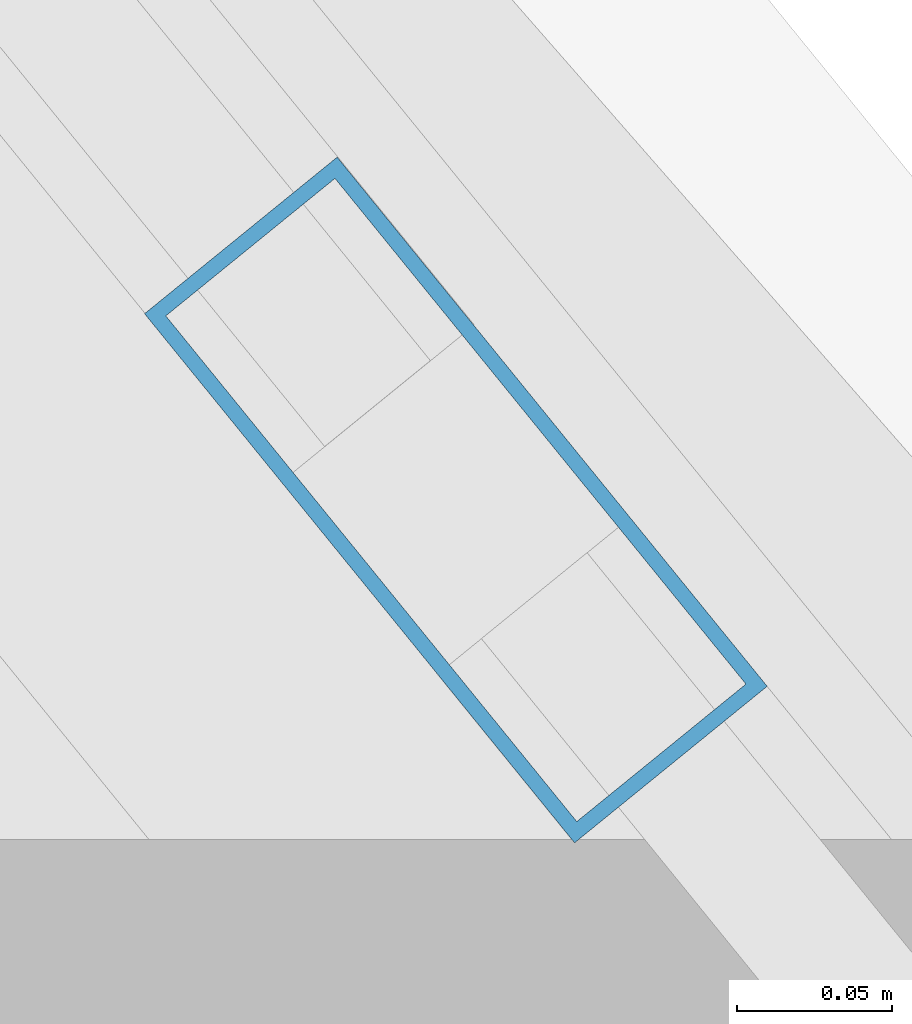
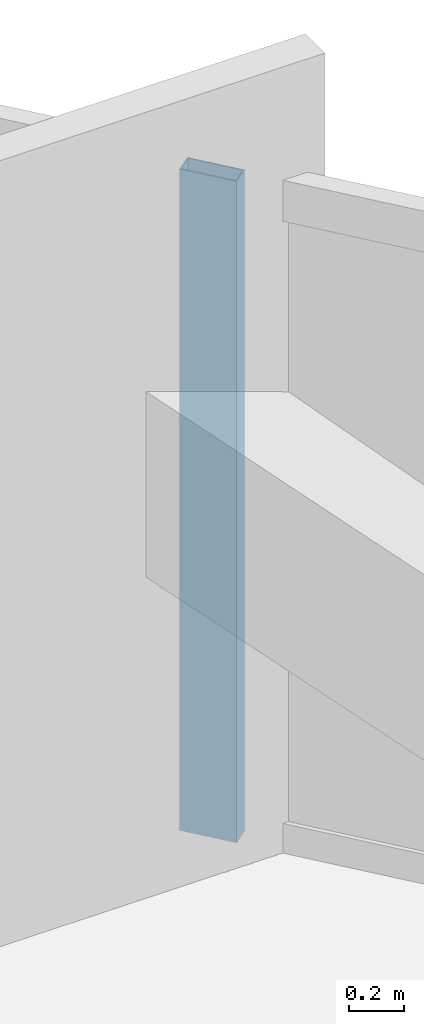
# One storey, part 22 of 36: 1 member, 1 element without a shape of its own.
"""IFC4 building model written with IfcOpenShell, lengths in metres."""

from ifc_helpers import new_model, si_unit, direction, frame, origin, origin_2d, place, context, subcontext, project, spatial, hollow_rectangle, extrude, material, material_profile, profile_set, type_object, element, aggregate, save


model = new_model("IFC4")

# Units and contexts
model_context = context("Model", 3, precision=1e-05, world=origin(), true_north=direction((0.0, 1.0)))
body_context = subcontext(model_context, "Body", "Model", "MODEL_VIEW")
ifc_project = project(units=[si_unit("LENGTHUNIT", "METRE"), si_unit("AREAUNIT", "SQUARE_METRE"), si_unit("VOLUMEUNIT", "CUBIC_METRE"), si_unit("PLANEANGLEUNIT", "RADIAN"), si_unit("MASSUNIT", "GRAM", prefix="KILO")], contexts=[model_context])

# Site, building, storey
site_placement = place(None, origin())
site = spatial("IfcSite", under=ifc_project, at=site_placement, CompositionType="ELEMENT")
building_placement = place(site_placement, origin())
building = spatial("IfcBuilding", under=site, at=building_placement, Name="Haldenkirk Collegiate Tower", CompositionType="ELEMENT")
storey_placement = place(building_placement, frame((0.0, 0.0, 159.449951171875)))
storey = spatial("IfcBuildingStorey", under=building, at=storey_placement, Name="L39", CompositionType="ELEMENT", Elevation=159.449951171875)

# Curtain wall, member
ifc_material = material(Name="Anodised architectural bronze aluminium", Category="aluminium")
curtain_wall_type = type_object("IfcCurtainWallType", Name="CW-SYS1-CONVEX-LOW", PredefinedType="USERDEFINED", material=ifc_material)
curtain_wall_placement = place(storey_placement, origin())
curtain_wall = element("IfcCurtainWall", 1, at=curtain_wall_placement, inside=storey, type_object=curtain_wall_type, Name="L39 Lower tower convex bronze-framed unitised curtain wall", ObjectType="UNITISED CURTAIN WALL", PredefinedType="USERDEFINED")
ifc_material_profile = material_profile(ifc_material, hollow_rectangle(XDim=0.080078125, YDim=0.219970703125, WallThickness=0.0048828125, at=origin_2d()), Name="CW-MUL-1A")
ifc_profile_set = profile_set([ifc_material_profile], Name="Anodised architectural bronze aluminium")
member_type = type_object("IfcMemberType", Name="CW-MUL-1A", PredefinedType="MULLION", material=ifc_profile_set)
member_placement = place(storey_placement, frame((61.47119140625, 34.329345703125, 0.0), z_axis=(0.0, 0.0, 1.0), x_axis=(0.776046540641, 0.630675643068, 0.0)))
member = element("IfcMember", 2, at=member_placement, type_object=member_type, Name="CW-1A mullion 4", PredefinedType="MULLION", context=body_context, shape_type="SweptSolid", body=[
    extrude(hollow_rectangle(XDim=0.080078125, YDim=0.219970703125, WallThickness=0.0048828125, at=origin_2d()), origin(), (0.0, 0.0, 1.0), 2.9111328125),
])
aggregate(curtain_wall, [member])

save(model, "model.ifc")
